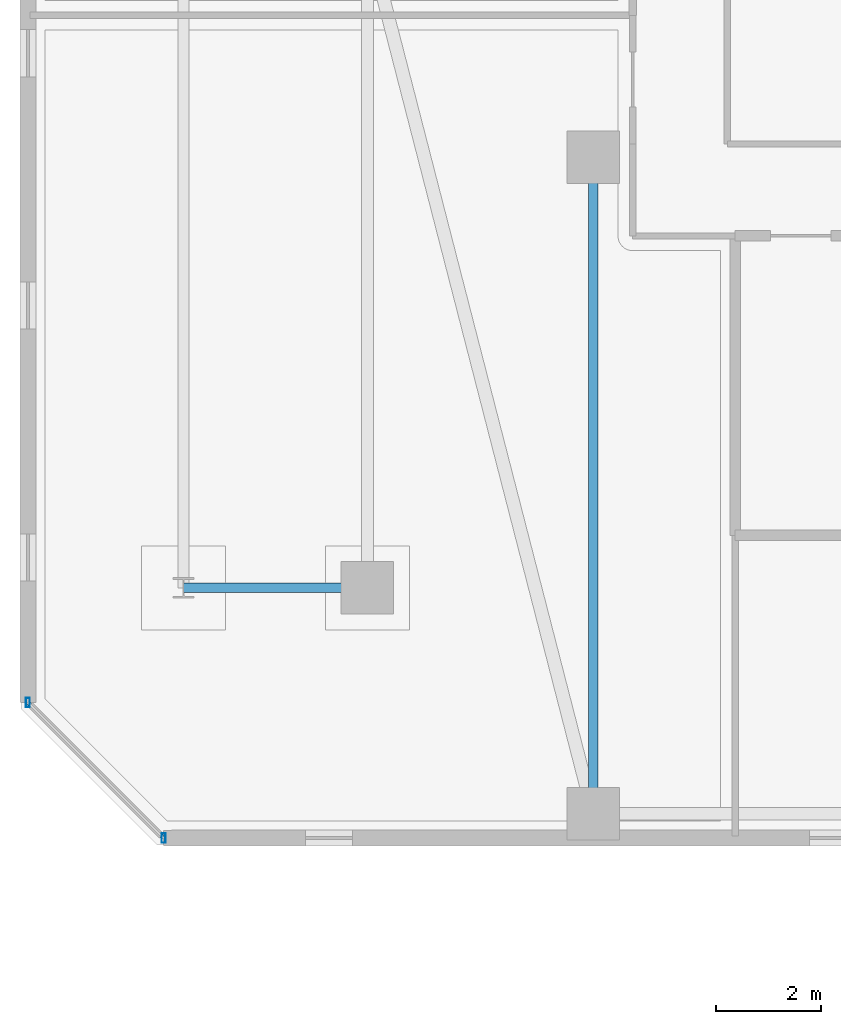
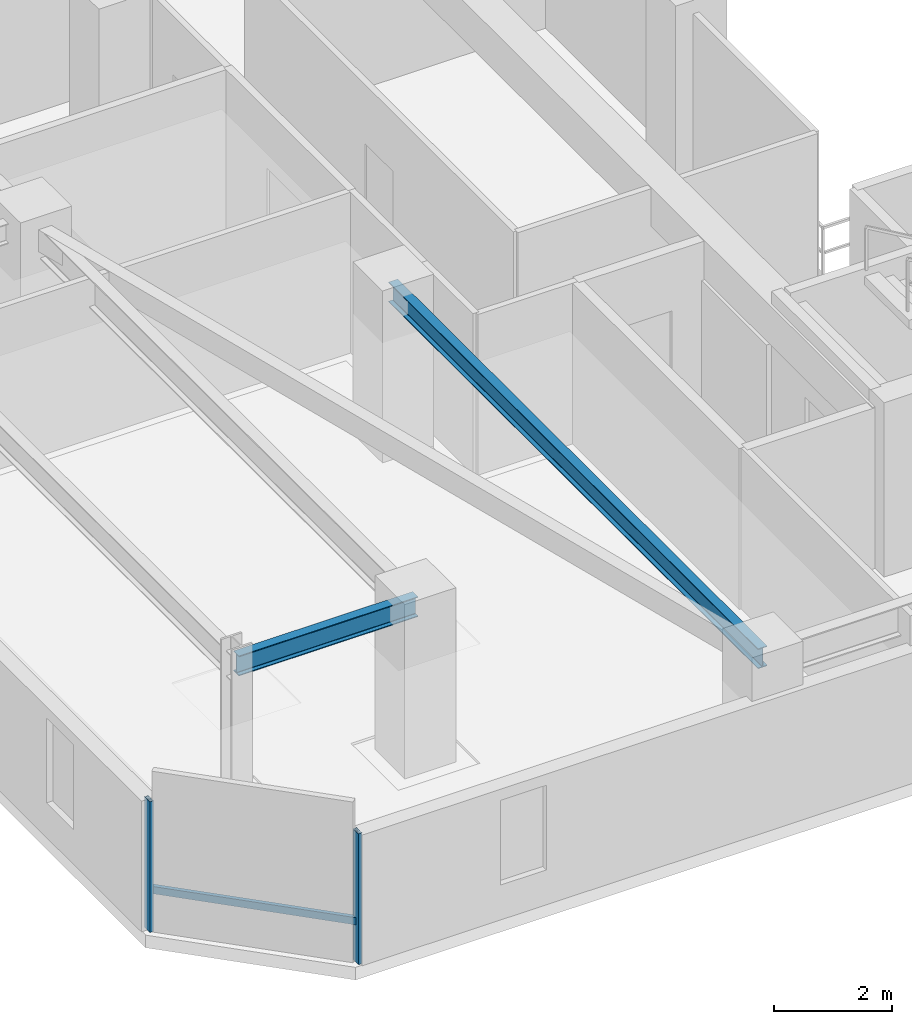
# One storey, part 3 of 32: 3 members, 2 beams, 1 element without a shape of its own.
"""IFC4 building model written with IfcOpenShell, lengths in metres."""

from ifc_helpers import new_model, si_unit, direction, frame, origin, origin_2d, place, context, subcontext, project, spatial, hollow_rectangle, i_section, extrude, material, material_profile, profile_set, type_object, element, aggregate, save


model = new_model("IFC4")

# Units and contexts
model_context = context("Model", 3, precision=1e-05, world=origin(), true_north=direction((0.0, 1.0)))
body_context = subcontext(model_context, "Body", "Model", "MODEL_VIEW")
ifc_project = project(units=[si_unit("LENGTHUNIT", "METRE"), si_unit("AREAUNIT", "SQUARE_METRE"), si_unit("VOLUMEUNIT", "CUBIC_METRE"), si_unit("PLANEANGLEUNIT", "RADIAN"), si_unit("MASSUNIT", "GRAM", prefix="KILO")], contexts=[model_context])

# Site, building, storey
site_placement = place(None, origin())
site = spatial("IfcSite", under=ifc_project, at=site_placement, CompositionType="ELEMENT")
building_placement = place(site_placement, origin())
building = spatial("IfcBuilding", under=site, at=building_placement, Name="Thornwick Lancets Civic Towers", CompositionType="ELEMENT")
storey_placement = place(building_placement, frame((0.0, 0.0, 200.10009765625)))
storey = spatial("IfcBuildingStorey", under=building, at=storey_placement, Name="L53", CompositionType="ELEMENT", Elevation=200.10009765625)

# Beams
ifc_material_1 = material(Name="Steel S355JR", Category="steel")
ifc_material_profile_1 = material_profile(ifc_material_1, i_section(OverallWidth=0.179443359375, OverallDepth=0.412841796875, WebThickness=0.009521484375, FlangeThickness=0.01611328125, FilletRadius=0.01025390625, at=origin_2d()), Name="UKB 406x178x74")
ifc_profile_set_1 = profile_set([ifc_material_profile_1], Name="Steel S355JR")
beam_type = type_object("IfcBeamType", Name="BM_JOIST_406_74", PredefinedType="JOIST", material=ifc_profile_set_1)
beam_1_placement = place(storey_placement, frame((12.5, 22.199951171875, 3.133544921875), z_axis=(0.0, -1.0, 0.0), x_axis=(1.0, 0.0, 0.0)))
element("IfcBeam", 1, at=beam_1_placement, inside=storey, type_object=beam_type, Name="BM-RADIN-L53-A01", PredefinedType="JOIST", context=body_context, shape_type="SweptSolid", body=[
    extrude(i_section(OverallWidth=0.179443359375, OverallDepth=0.412841796875, WebThickness=0.009521484375, FlangeThickness=0.01611328125, FilletRadius=0.01025390625, at=origin_2d()), origin(), (0.0, 0.0, 1.0), 12.5),
])
beam_2_placement = place(storey_placement, frame((8.199951171875, 14.0, 3.133544921875), z_axis=(-1.0, 0.0, 0.0), x_axis=(0.0, -1.0, 0.0)))
element("IfcBeam", 2, at=beam_2_placement, inside=storey, type_object=beam_type, Name="BM-RAD-L53-A10", PredefinedType="JOIST", context=body_context, shape_type="SweptSolid", body=[
    extrude(i_section(OverallWidth=0.179443359375, OverallDepth=0.412841796875, WebThickness=0.009521484375, FlangeThickness=0.01611328125, FilletRadius=0.01025390625, at=origin_2d()), origin(), (0.0, 0.0, 1.0), 3.5),
])

# Curtain wall, members
ifc_material_2 = material(Name="High-zone chamfered-corner unitised glass curtain wall", Category="glass")
curtain_wall_type = type_object("IfcCurtainWallType", Name="CW_SYS_05", PredefinedType="NOTDEFINED", material=ifc_material_2)
curtain_wall_placement = place(storey_placement, origin())
curtain_wall = element("IfcCurtainWall", 3, at=curtain_wall_placement, inside=storey, type_object=curtain_wall_type, Name="L53 Curtain Wall CW-L53-A-E7", PredefinedType="NOTDEFINED")
ifc_material_3 = material(Name="Thermally broken bronze aluminium S355", Category="steel")
ifc_material_profile_2 = material_profile(ifc_material_3, hollow_rectangle(XDim=0.074951171875, YDim=0.179931640625, WallThickness=0.006103515625, at=origin_2d()), Name="RHS 180x75x6")
ifc_profile_set_2 = profile_set([ifc_material_profile_2], Name="Thermally broken bronze aluminium S355")
member_type_1 = type_object("IfcMemberType", Name="CW_MUL_180", PredefinedType="MULLION", material=ifc_profile_set_2)
member_1_placement = place(storey_placement, frame((1.7353515625, 11.818603515625, 0.0), z_axis=(0.0, 0.0, 1.0), x_axis=(1.0, 0.0, 0.0)))
member_1 = element("IfcMember", 4, at=member_1_placement, type_object=member_type_1, Name="CW-L53-A-E7 Mullion 0", PredefinedType="MULLION", context=body_context, shape_type="SweptSolid", body=[
    extrude(hollow_rectangle(XDim=0.074951171875, YDim=0.179931640625, WallThickness=0.006103515625, at=origin_2d()), origin(), (0.0, 0.0, 1.0), 2.699951171875),
])
member_2_placement = place(storey_placement, frame((4.318603515625, 9.2353515625, 0.0), z_axis=(0.0, 0.0, 1.0), x_axis=(1.0, 0.0, 0.0)))
member_2 = element("IfcMember", 5, at=member_2_placement, type_object=member_type_1, Name="CW-L53-A-E7 Mullion 1", PredefinedType="MULLION", context=body_context, shape_type="SweptSolid", body=[
    extrude(hollow_rectangle(XDim=0.074951171875, YDim=0.179931640625, WallThickness=0.006103515625, at=origin_2d()), origin(), (0.0, 0.0, 1.0), 2.699951171875),
])
ifc_material_profile_3 = material_profile(ifc_material_3, hollow_rectangle(XDim=0.074951171875, YDim=0.14990234375, WallThickness=0.0048828125, at=origin_2d()), Name="RHS 150x75x5")
ifc_profile_set_3 = profile_set([ifc_material_profile_3], Name="Thermally broken bronze aluminium S355")
member_type_2 = type_object("IfcMemberType", Name="CW_TRN_150", PredefinedType="USERDEFINED", material=ifc_profile_set_3)
member_3_placement = place(storey_placement, frame((1.74951171875, 11.804443359375, 0.849853515625), z_axis=(0.707106781187, -0.707106781187, 0.0), x_axis=(0.707106781187, 0.707106781187, 0.0)))
member_3 = element("IfcMember", 6, at=member_3_placement, type_object=member_type_2, Name="CW-L53-A-E7 Transom 0", ObjectType="TRANSOM", PredefinedType="USERDEFINED", context=body_context, shape_type="SweptSolid", body=[
    extrude(hollow_rectangle(XDim=0.074951171875, YDim=0.14990234375, WallThickness=0.0048828125, at=origin_2d()), origin(), (0.0, 0.0, 1.0), 3.61328125),
])
aggregate(curtain_wall, [member_1, member_2, member_3])

save(model, "model.ifc")
